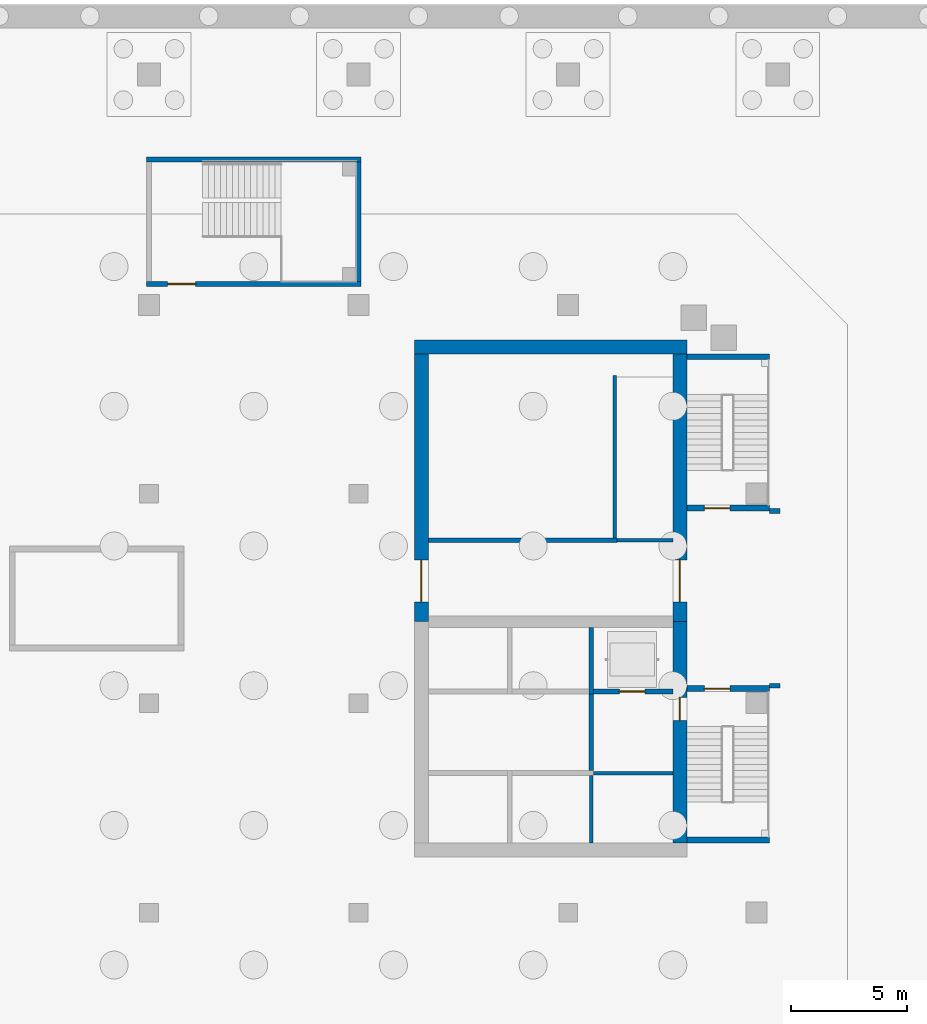
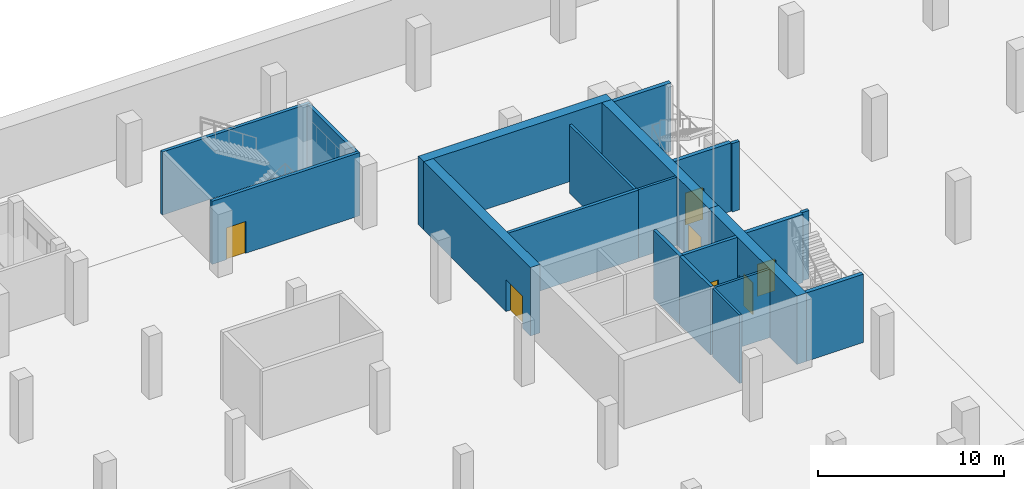
# One storey, part 18 of 30: 21 walls, 7 doors, 7 openings.
"""IFC4 building model written with IfcOpenShell, lengths in metres."""

import ifcopenshell
import ifcopenshell.guid

model = None  # the IFC model being written
_history = None  # IfcOwnerHistory: only IFC2X3 demands one
_inside = {}  # id of a spatial element -> (the spatial element, [elements in it])
_under = {}  # id of a project, library or spatial element -> (it, [spatial elements below it])
_declared = {}  # id of a project -> (the project, [libraries it declares])
_typed = {}  # id of a type object -> (the type object, [elements of that type])
_made_of = {}  # id of a material, layer set ... -> (it, [elements and type objects made of it])


def new_model(schema):
    """Start an empty IFC model of exactly this schema.

    Asked for "IFC4X3", IfcOpenShell would pick the latest addendum, in which some entities
    have other attributes; the version numbers below select the first issue.
    IFC2X3 requires an IfcOwnerHistory on every rooted entity: one is made here for all.
    """
    global model, _history
    if schema == "IFC4X3":
        model = ifcopenshell.file(schema_version=(4, 3, 0, 0))
    else:
        model = ifcopenshell.file(schema=schema)
    _inside.clear()
    _under.clear()
    _declared.clear()
    _typed.clear()
    _made_of.clear()
    _history = None
    if model.schema == "IFC2X3":
        org = make("IfcOrganization", Name="unknown")
        user = make(
            "IfcPersonAndOrganization",
            ThePerson=make("IfcPerson", FamilyName="unknown"),
            TheOrganization=org,
        )
        app = make(
            "IfcApplication",
            ApplicationDeveloper=org,
            Version="unknown",
            ApplicationFullName="unknown",
            ApplicationIdentifier="unknown",
        )
        _history = make(
            "IfcOwnerHistory",
            OwningUser=user,
            OwningApplication=app,
            ChangeAction="ADDED",
            CreationDate=0,
        )
    return model


def make(cls, **values):
    """One entity of the class cls with the attributes given. An attribute that is None is left unset."""
    return model.create_entity(
        cls, **{name: value for name, value in values.items() if value is not None}
    )


def rooted(cls, **values):
    """An entity with a GlobalId (a new one), such as an element, a storey or a relation."""
    return make(cls, GlobalId=ifcopenshell.guid.new(), OwnerHistory=_history, **values)


def si_unit(unit_type, name, prefix=None):
    """IfcSIUnit, for example si_unit("LENGTHUNIT", "METRE", prefix="MILLI")."""
    return make("IfcSIUnit", UnitType=unit_type, Prefix=prefix, Name=name)


def assignment(units):
    """IfcUnitAssignment: the units of a project."""
    return None if units is None else make("IfcUnitAssignment", Units=units)


def point(xyz):
    """IfcCartesianPoint."""
    return None if xyz is None else make("IfcCartesianPoint", Coordinates=xyz)


def direction(xyz):
    """IfcDirection."""
    return None if xyz is None else make("IfcDirection", DirectionRatios=xyz)


def frame(location, z_axis=None, x_axis=None):
    """IfcAxis2Placement3D, a coordinate frame: its origin and axes. An axis left out is left unset."""
    return make(
        "IfcAxis2Placement3D",
        Location=point(location),
        Axis=direction(z_axis),
        RefDirection=direction(x_axis),
    )


def frame_2d(location, x_axis=None):
    """IfcAxis2Placement2D, a coordinate frame in the plane: its origin and x axis."""
    return make(
        "IfcAxis2Placement2D", Location=point(location), RefDirection=direction(x_axis)
    )


def origin():
    """The frame at (0, 0, 0) with its axes left unset."""
    return frame((0.0, 0.0, 0.0))


def place(relative_to, where):
    """IfcLocalPlacement: puts the frame where relative to a parent placement (None: the world)."""
    return make(
        "IfcLocalPlacement", PlacementRelTo=relative_to, RelativePlacement=where
    )


def context(
    kind, dimensions, precision=None, world=None, true_north=None, identifier=None
):
    """IfcGeometricRepresentationContext, for example the 3D "Model" context."""
    return make(
        "IfcGeometricRepresentationContext",
        ContextIdentifier=identifier,
        ContextType=kind,
        CoordinateSpaceDimension=dimensions,
        Precision=precision,
        WorldCoordinateSystem=world,
        TrueNorth=true_north,
    )


def subcontext(parent, identifier, kind, view, scale=None):
    """IfcGeometricRepresentationSubContext, for example "Body" below "Model"."""
    return make(
        "IfcGeometricRepresentationSubContext",
        ContextIdentifier=identifier,
        ContextType=kind,
        ParentContext=parent,
        TargetScale=scale,
        TargetView=view,
    )


def project(units=None, contexts=None):
    """IfcProject with its units and contexts."""
    return rooted(
        "IfcProject",
        Name="project",
        RepresentationContexts=contexts,
        UnitsInContext=assignment(units),
    )


def spatial(cls, under=None, at=None, **own):
    """A site, building, storey or space (cls), placed at a placement, below another one or the project."""
    s = rooted(cls, ObjectPlacement=at, **own)
    if under is not None:
        _under.setdefault(under.id(), (under, []))[1].append(s)
    return s


def profile(cls, at=None, kind="AREA", **sizes):
    """A parametric profile (cls). Its sizes go by their IFC names, for example OverallWidth=200.0."""
    return make(cls, ProfileType=kind, Position=at, **sizes)


def rectangle(**sizes):
    """IfcRectangleProfileDef."""
    return profile("IfcRectangleProfileDef", **sizes)


def extrude(swept, where, along, depth):
    """IfcExtrudedAreaSolid: the profile swept, set in the frame where, extruded along a direction by depth."""
    return make(
        "IfcExtrudedAreaSolid",
        SweptArea=swept,
        Position=where,
        ExtrudedDirection=direction(along),
        Depth=depth,
    )


def shape(context_of_items, identifier, shape_type, items):
    """IfcShapeRepresentation: the items that make up one representation, for example the "Body"."""
    return make(
        "IfcShapeRepresentation",
        ContextOfItems=context_of_items,
        RepresentationIdentifier=identifier,
        RepresentationType=shape_type,
        Items=items,
    )


def material(Name=None, Category=None):
    """IfcMaterial."""
    return make("IfcMaterial", Name=Name, Category=Category)


def layer(
    of_material, thickness, ventilated=None, Name=None, Category=None, Priority=None
):
    """IfcMaterialLayer: one layer of a wall or slab, of a material (None: an air gap)."""
    return make(
        "IfcMaterialLayer",
        Material=of_material,
        LayerThickness=thickness,
        IsVentilated=ventilated,
        Name=Name,
        Category=Category,
        Priority=Priority,
    )


def layer_set(layers, Name=None):
    """IfcMaterialLayerSet."""
    return make("IfcMaterialLayerSet", MaterialLayers=layers, LayerSetName=Name)


def made_of(thing, what):
    """Note that an element or type object is made of a material, layer set ...; save() writes the relation."""
    if what is not None:
        _made_of.setdefault(what.id(), (what, []))[1].append(thing)
    return thing


def type_object(cls, material=None, **own):
    """A type object (cls), such as IfcWallType, which elements share."""
    return made_of(rooted(cls, **own), material)


def element(
    cls,
    number,
    at=None,
    inside=None,
    cuts=None,
    type_object=None,
    material=None,
    context=None,
    identifier="Body",
    shape_type=None,
    held_by="IfcProductDefinitionShape",
    body=None,
    shapes=None,
    **own,
):
    """One element of the class cls, such as IfcWall. Its Tag is "e" and its number.

    at: its placement. inside: the storey or other place that contains it. cuts: it is an
    opening in that element (IfcRelVoidsElement). A single representation is given by context,
    identifier, shape_type and body (its items); several are given by shapes. held_by: the class
    of the entity that holds the representations. save() writes the other relations.
    """
    e = rooted(cls, Tag="e%d" % number, ObjectPlacement=at, **own)
    if body is not None:
        shapes = [shape(context, identifier, shape_type, body)]
    if shapes is not None:
        e.Representation = make(held_by, Representations=shapes)
    if inside is not None:
        _inside.setdefault(inside.id(), (inside, []))[1].append(e)
    if cuts is not None:
        rooted(
            "IfcRelVoidsElement", RelatingBuildingElement=cuts, RelatedOpeningElement=e
        )
    if type_object is not None:
        _typed.setdefault(type_object.id(), (type_object, []))[1].append(e)
    return made_of(e, material)


def fill(opening, filler):
    """IfcRelFillsElement: the door or window that sits in an opening."""
    return rooted(
        "IfcRelFillsElement",
        RelatingOpeningElement=opening,
        RelatedBuildingElement=filler,
    )


def aggregate(whole, parts):
    """IfcRelAggregates: a whole, such as a stair, and the parts it consists of."""
    return rooted("IfcRelAggregates", RelatingObject=whole, RelatedObjects=parts)


def save(model, path):
    """Write the relations noted so far, then the file.

    IfcRelAggregates (storeys below a building ...), IfcRelContainedInSpatialStructure (elements
    in a storey), IfcRelDefinesByType, IfcRelAssociatesMaterial and IfcRelDeclares: one each for
    every whole, place, type object, material and project.
    """
    for whole, parts in _under.values():
        aggregate(whole, parts)
    for where, things in _inside.values():
        rooted(
            "IfcRelContainedInSpatialStructure",
            RelatedElements=things,
            RelatingStructure=where,
        )
    for kind, things in _typed.values():
        rooted("IfcRelDefinesByType", RelatedObjects=things, RelatingType=kind)
    for what, things in _made_of.values():
        rooted("IfcRelAssociatesMaterial", RelatedObjects=things, RelatingMaterial=what)
    for by, libraries in _declared.values():
        rooted("IfcRelDeclares", RelatingContext=by, RelatedDefinitions=libraries)
    model.write(path)


model = new_model("IFC4")

# Units and contexts
model_context = context("Model", 3, precision=1e-05, world=origin(), true_north=direction((0.0, 1.0)))
body_context = subcontext(model_context, "Body", "Model", "MODEL_VIEW")
ifc_project = project(units=[si_unit("LENGTHUNIT", "METRE"), si_unit("AREAUNIT", "SQUARE_METRE"), si_unit("VOLUMEUNIT", "CUBIC_METRE"), si_unit("PLANEANGLEUNIT", "RADIAN"), si_unit("MASSUNIT", "GRAM", prefix="KILO")], contexts=[model_context])

# Site, building, storey
site_placement = place(None, origin())
site = spatial("IfcSite", under=ifc_project, at=site_placement, CompositionType="ELEMENT")
building_placement = place(site_placement, origin())
building = spatial("IfcBuilding", under=site, at=building_placement, Name="Cinnabar Reach Civic Tower", CompositionType="ELEMENT")
storey_placement = place(building_placement, frame((0.0, 0.0, -14.0)))
storey = spatial("IfcBuildingStorey", under=building, at=storey_placement, Name="B3", CompositionType="ELEMENT", Elevation=-14.0)

# Wall
ifc_material_1 = material(Name="Concrete C70", Category="concrete")
ifc_layer_1 = layer(ifc_material_1, 0.6)
ifc_layer_set_1 = layer_set([ifc_layer_1], Name="Core wall 600 EI 180")
wall_type_1 = type_object("IfcWallType", Name="Core wall 600 EI 180", PredefinedType="SOLIDWALL", material=ifc_layer_set_1)
wall_1_placement = place(storey_placement, frame((-30.9, 42.3, 0.0), z_axis=(0.0, 0.0, 1.0), x_axis=(-1.0, 0.0, 0.0)))
element("IfcWall", 1, at=wall_1_placement, inside=storey, type_object=wall_type_1, Name="Core wall T2 B3 N", PredefinedType="SOLIDWALL", context=body_context, shape_type="SweptSolid", body=[
    extrude(rectangle(XDim=11.7, YDim=0.6, at=frame_2d((5.85, 0.0))), origin(), (0.0, 0.0, 1.0), 4.5),
])

# Wall, opening, door
wall_2_placement = place(storey_placement, frame((-31.2, 21.0, 0.0), z_axis=(0.0, 0.0, 1.0), x_axis=(0.0, 1.0, 0.0)))
wall_2 = element("IfcWall", 2, at=wall_2_placement, inside=storey, type_object=wall_type_1, Name="Core wall T2 B3 E", PredefinedType="SOLIDWALL", context=body_context, shape_type="SweptSolid", body=[
    extrude(rectangle(XDim=9.5, YDim=0.6, at=frame_2d((4.75, 0.0))), origin(), (0.0, 0.0, 1.0), 4.5),
])
opening_1_placement = place(wall_2_placement, frame((5.25, 0.0, 0.0)))
opening_1 = element("IfcOpeningElement", 3, at=opening_1_placement, cuts=wall_2, Name="Opening D6001", PredefinedType="OPENING", context=body_context, shape_type="SweptSolid", body=[
    extrude(rectangle(XDim=1.0, YDim=2.1, at=frame_2d((0.5, 1.05))), frame((0.0, 0.31, 0.0), z_axis=(0.0, -1.0, 0.0), x_axis=(1.0, 0.0, 0.0)), (0.0, 0.0, 1.0), 0.62),
])
ifc_material_2 = material(Name="Steel fire door", Category="steel")
door_type_1 = type_object("IfcDoorType", Name="T2 Firefighting lobby door 1000", OperationType="SINGLE_SWING_LEFT", PredefinedType="DOOR", material=ifc_material_2)
door_1_placement = place(opening_1_placement, frame((1.0, 0.0, 0.0), z_axis=(0.0, 0.0, 1.0), x_axis=(-1.0, 0.0, 0.0)))
door_1 = element("IfcDoor", 4, at=door_1_placement, inside=storey, type_object=door_type_1, Name="T2 Firefighting lobby door D6001", OperationType="SINGLE_SWING_LEFT", OverallHeight=2.1, OverallWidth=1.0, PredefinedType="DOOR", context=body_context, shape_type="SweptSolid", body=[
    extrude(rectangle(XDim=1.0, YDim=2.1, at=frame_2d((0.5, 1.05))), frame((0.0, 0.025, 0.0), z_axis=(0.0, -1.0, 0.0), x_axis=(1.0, 0.0, 0.0)), (0.0, 0.0, 1.0), 0.05),
])
fill(opening_1, door_1)

wall_3_placement = place(storey_placement, frame((-31.2, 30.5, 0.0), z_axis=(0.0, 0.0, 1.0), x_axis=(0.0, 1.0, 0.0)))
wall_3 = element("IfcWall", 5, at=wall_3_placement, inside=storey, type_object=wall_type_1, Name="Core wall T2 B3 E2", PredefinedType="SOLIDWALL", context=body_context, shape_type="SweptSolid", body=[
    extrude(rectangle(XDim=11.5, YDim=0.6, at=frame_2d((5.75, 0.0))), origin(), (0.0, 0.0, 1.0), 4.5),
])
opening_2_placement = place(wall_3_placement, frame((0.85, 0.0, 0.0)))
opening_2 = element("IfcOpeningElement", 6, at=opening_2_placement, cuts=wall_3, Name="Opening D6004", PredefinedType="OPENING", context=body_context, shape_type="SweptSolid", body=[
    extrude(rectangle(XDim=1.8, YDim=2.1, at=frame_2d((0.9, 1.05))), frame((0.0, 0.31, 0.0), z_axis=(0.0, -1.0, 0.0), x_axis=(1.0, 0.0, 0.0)), (0.0, 0.0, 1.0), 0.62),
])
door_type_2 = type_object("IfcDoorType", Name="T2 Double door 1800", OperationType="DOUBLE_DOOR_SINGLE_SWING", PredefinedType="DOOR", material=ifc_material_2)
door_2_placement = place(opening_2_placement, origin())
door_2 = element("IfcDoor", 7, at=door_2_placement, inside=storey, type_object=door_type_2, Name="T2 Double door D6004", OperationType="DOUBLE_DOOR_SINGLE_SWING", OverallHeight=2.1, OverallWidth=1.8, PredefinedType="DOOR", context=body_context, shape_type="SweptSolid", body=[
    extrude(rectangle(XDim=1.8, YDim=2.1, at=frame_2d((0.9, 1.05))), frame((0.0, 0.025, 0.0), z_axis=(0.0, -1.0, 0.0), x_axis=(1.0, 0.0, 0.0)), (0.0, 0.0, 1.0), 0.05),
])
fill(opening_2, door_2)

wall_4_placement = place(storey_placement, frame((-42.3, 42.0, 0.0), z_axis=(0.0, 0.0, 1.0), x_axis=(0.0, -1.0, 0.0)))
wall_4 = element("IfcWall", 8, at=wall_4_placement, inside=storey, type_object=wall_type_1, Name="Core wall T2 B3 W", PredefinedType="SOLIDWALL", context=body_context, shape_type="SweptSolid", body=[
    extrude(rectangle(XDim=11.5, YDim=0.6, at=frame_2d((5.75, 0.0))), origin(), (0.0, 0.0, 1.0), 4.5),
])
opening_3_placement = place(wall_4_placement, frame((8.85, 0.0, 0.0)))
opening_3 = element("IfcOpeningElement", 9, at=opening_3_placement, cuts=wall_4, Name="Opening D6005", PredefinedType="OPENING", context=body_context, shape_type="SweptSolid", body=[
    extrude(rectangle(XDim=1.8, YDim=2.1, at=frame_2d((0.9, 1.05))), frame((0.0, 0.31, 0.0), z_axis=(0.0, -1.0, 0.0), x_axis=(1.0, 0.0, 0.0)), (0.0, 0.0, 1.0), 0.62),
])
door_3_placement = place(opening_3_placement, frame((1.8, 0.0, 0.0), z_axis=(0.0, 0.0, 1.0), x_axis=(-1.0, 0.0, 0.0)))
door_3 = element("IfcDoor", 10, at=door_3_placement, inside=storey, type_object=door_type_2, Name="T2 Double door D6005", OperationType="DOUBLE_DOOR_SINGLE_SWING", OverallHeight=2.1, OverallWidth=1.8, PredefinedType="DOOR", context=body_context, shape_type="SweptSolid", body=[
    extrude(rectangle(XDim=1.8, YDim=2.1, at=frame_2d((0.9, 1.05))), frame((0.0, 0.025, 0.0), z_axis=(0.0, -1.0, 0.0), x_axis=(1.0, 0.0, 0.0)), (0.0, 0.0, 1.0), 0.05),
])
fill(opening_3, door_3)

# Walls
ifc_material_3 = material(Name="Concrete C40", Category="concrete")
ifc_layer_2 = layer(ifc_material_3, 0.2)
ifc_layer_set_2 = layer_set([ifc_layer_2], Name="Podium stair shaft wall 200 EI 120")
wall_type_2 = type_object("IfcWallType", Name="Podium stair shaft wall 200 EI 120", PredefinedType="SOLIDWALL", material=ifc_layer_set_2)
wall_5_placement = place(storey_placement, frame((-54.1, 50.35, 0.0), z_axis=(0.0, 0.0, 1.0), x_axis=(1.0, 0.0, 0.0)))
element("IfcWall", 11, at=wall_5_placement, inside=storey, type_object=wall_type_2, Name="Wall B3 25", PredefinedType="SOLIDWALL", context=body_context, shape_type="SweptSolid", body=[
    extrude(rectangle(XDim=9.2, YDim=0.2, at=frame_2d((4.6, 0.0))), origin(), (0.0, 0.0, 1.0), 4.15),
])
wall_6_placement = place(storey_placement, frame((-45.0, 45.1, 0.0), z_axis=(0.0, 0.0, 1.0), x_axis=(0.0, 1.0, 0.0)))
element("IfcWall", 12, at=wall_6_placement, inside=storey, type_object=wall_type_2, Name="Wall B3 26", PredefinedType="SOLIDWALL", context=body_context, shape_type="SweptSolid", body=[
    extrude(rectangle(XDim=5.15, YDim=0.2, at=frame_2d((2.575, 0.0))), origin(), (0.0, 0.0, 1.0), 4.15),
])

# Wall, opening, door
wall_7_placement = place(storey_placement, frame((-54.1, 45.0, 0.0), z_axis=(0.0, 0.0, 1.0), x_axis=(1.0, 0.0, 0.0)))
wall_7 = element("IfcWall", 13, at=wall_7_placement, inside=storey, type_object=wall_type_2, Name="Wall B3 27", PredefinedType="SOLIDWALL", context=body_context, shape_type="SweptSolid", body=[
    extrude(rectangle(XDim=9.2, YDim=0.2, at=frame_2d((4.6, 0.0))), origin(), (0.0, 0.0, 1.0), 4.15),
])
opening_4_placement = place(wall_7_placement, frame((0.9, 0.0, 0.0)))
opening_4 = element("IfcOpeningElement", 14, at=opening_4_placement, cuts=wall_7, Name="Opening D1327", PredefinedType="OPENING", context=body_context, shape_type="SweptSolid", body=[
    extrude(rectangle(XDim=1.2, YDim=2.1, at=frame_2d((0.6, 1.05))), frame((0.0, 0.11, 0.0), z_axis=(0.0, -1.0, 0.0), x_axis=(1.0, 0.0, 0.0)), (0.0, 0.0, 1.0), 0.22),
])
ifc_material_4 = material(Name="Painted steel door leaf", Category="steel")
door_type_3 = type_object("IfcDoorType", Name="Podium single door 1200x2100", OperationType="SINGLE_SWING_LEFT", PredefinedType="DOOR", material=ifc_material_4)
door_4_placement = place(opening_4_placement, origin())
door_4 = element("IfcDoor", 15, at=door_4_placement, inside=storey, type_object=door_type_3, Name="Door D1327", OperationType="SINGLE_SWING_LEFT", OverallHeight=2.1, OverallWidth=1.2, PredefinedType="DOOR", context=body_context, shape_type="SweptSolid", body=[
    extrude(rectangle(XDim=1.2, YDim=2.1, at=frame_2d((0.6, 1.05))), frame((0.0, 0.025, 0.0), z_axis=(0.0, -1.0, 0.0), x_axis=(1.0, 0.0, 0.0)), (0.0, 0.0, 1.0), 0.05),
])
fill(opening_4, door_4)

# Wall
ifc_material_5 = material(Name="Concrete C60", Category="concrete")
ifc_layer_3 = layer(ifc_material_5, 0.25)
ifc_layer_set_3 = layer_set([ifc_layer_3], Name="Stair shaft wall 250 EI 120")
wall_type_3 = type_object("IfcWallType", Name="Stair shaft wall 250 EI 120", PredefinedType="SOLIDWALL", material=ifc_layer_set_3)
wall_8_placement = place(storey_placement, frame((-30.9, 21.125, 0.0), z_axis=(0.0, 0.0, 1.0), x_axis=(1.0, 0.0, 0.0)))
element("IfcWall", 16, at=wall_8_placement, inside=storey, type_object=wall_type_3, Name="Stair shaft wall T2-S1 B3", PredefinedType="SOLIDWALL", context=body_context, shape_type="SweptSolid", body=[
    extrude(rectangle(XDim=3.54, YDim=0.25, at=frame_2d((1.77, 0.0))), origin(), (0.0, 0.0, 1.0), 4.5),
])

# Wall, opening, door
wall_9_placement = place(storey_placement, frame((-27.36, 27.625, 0.0), z_axis=(0.0, 0.0, 1.0), x_axis=(-1.0, 0.0, 0.0)))
wall_9 = element("IfcWall", 17, at=wall_9_placement, inside=storey, type_object=wall_type_3, Name="Stair shaft wall T2-S1 B3", PredefinedType="SOLIDWALL", context=body_context, shape_type="SweptSolid", body=[
    extrude(rectangle(XDim=3.54, YDim=0.25, at=frame_2d((1.77, 0.0))), origin(), (0.0, 0.0, 1.0), 4.5),
])
opening_5_placement = place(wall_9_placement, frame((1.69, 0.0, 0.0)))
opening_5 = element("IfcOpeningElement", 18, at=opening_5_placement, cuts=wall_9, Name="Opening D6002", PredefinedType="OPENING", context=body_context, shape_type="SweptSolid", body=[
    extrude(rectangle(XDim=1.1, YDim=2.1, at=frame_2d((0.55, 1.05))), frame((0.0, 0.135, 0.0), z_axis=(0.0, -1.0, 0.0), x_axis=(1.0, 0.0, 0.0)), (0.0, 0.0, 1.0), 0.27),
])
door_type_4 = type_object("IfcDoorType", Name="T2 Stair door 1100", OperationType="SINGLE_SWING_LEFT", PredefinedType="DOOR", material=ifc_material_2)
door_5_placement = place(opening_5_placement, origin())
door_5 = element("IfcDoor", 19, at=door_5_placement, inside=storey, type_object=door_type_4, Name="T2 Stair door D6002", OperationType="SINGLE_SWING_RIGHT", OverallHeight=2.1, OverallWidth=1.1, PredefinedType="DOOR", context=body_context, shape_type="SweptSolid", body=[
    extrude(rectangle(XDim=1.1, YDim=2.1, at=frame_2d((0.55, 1.05))), frame((0.0, 0.025, 0.0), z_axis=(0.0, -1.0, 0.0), x_axis=(1.0, 0.0, 0.0)), (0.0, 0.0, 1.0), 0.05),
])
fill(opening_5, door_5)

wall_10_placement = place(storey_placement, frame((-30.9, 35.375, 0.0), z_axis=(0.0, 0.0, 1.0), x_axis=(1.0, 0.0, 0.0)))
wall_10 = element("IfcWall", 20, at=wall_10_placement, inside=storey, type_object=wall_type_3, Name="Stair shaft wall T2-S2 B3", PredefinedType="SOLIDWALL", context=body_context, shape_type="SweptSolid", body=[
    extrude(rectangle(XDim=3.54, YDim=0.25, at=frame_2d((1.77, 0.0))), origin(), (0.0, 0.0, 1.0), 4.5),
])
opening_6_placement = place(wall_10_placement, frame((0.75, 0.0, 0.0)))
opening_6 = element("IfcOpeningElement", 21, at=opening_6_placement, cuts=wall_10, Name="Opening D6003", PredefinedType="OPENING", context=body_context, shape_type="SweptSolid", body=[
    extrude(rectangle(XDim=1.1, YDim=2.1, at=frame_2d((0.55, 1.05))), frame((0.0, 0.135, 0.0), z_axis=(0.0, -1.0, 0.0), x_axis=(1.0, 0.0, 0.0)), (0.0, 0.0, 1.0), 0.27),
])
door_6_placement = place(opening_6_placement, origin())
door_6 = element("IfcDoor", 22, at=door_6_placement, inside=storey, type_object=door_type_4, Name="T2 Stair door D6003", OperationType="SINGLE_SWING_LEFT", OverallHeight=2.1, OverallWidth=1.1, PredefinedType="DOOR", context=body_context, shape_type="SweptSolid", body=[
    extrude(rectangle(XDim=1.1, YDim=2.1, at=frame_2d((0.55, 1.05))), frame((0.0, 0.025, 0.0), z_axis=(0.0, -1.0, 0.0), x_axis=(1.0, 0.0, 0.0)), (0.0, 0.0, 1.0), 0.05),
])
fill(opening_6, door_6)

# Walls
wall_11_placement = place(storey_placement, frame((-27.36, 41.875, 0.0), z_axis=(0.0, 0.0, 1.0), x_axis=(-1.0, 0.0, 0.0)))
element("IfcWall", 23, at=wall_11_placement, inside=storey, type_object=wall_type_3, Name="Stair shaft wall T2-S2 B3", PredefinedType="SOLIDWALL", context=body_context, shape_type="SweptSolid", body=[
    extrude(rectangle(XDim=3.54, YDim=0.25, at=frame_2d((1.77, 0.0))), origin(), (0.0, 0.0, 1.0), 4.5),
])
ifc_layer_4 = layer(ifc_material_3, 0.15)
ifc_layer_set_4 = layer_set([ifc_layer_4], Name="T2 Riser wall 150")
wall_type_4 = type_object("IfcWallType", Name="T2 Riser wall 150", PredefinedType="SOLIDWALL", material=ifc_layer_set_4)
wall_12_placement = place(storey_placement, frame((-35.0, 21.0, 0.0), z_axis=(0.0, 0.0, 1.0), x_axis=(0.0, 1.0, 0.0)))
element("IfcWall", 24, at=wall_12_placement, inside=storey, type_object=wall_type_4, Name="T2 Riser wall B3 013", PredefinedType="SOLIDWALL", context=body_context, shape_type="SweptSolid", body=[
    extrude(rectangle(XDim=2.9, YDim=0.15, at=frame_2d((1.45, 0.0))), origin(), (0.0, 0.0, 1.0), 4.5),
])
wall_13_placement = place(storey_placement, frame((-31.5, 24.0, 0.0), z_axis=(0.0, 0.0, 1.0), x_axis=(-1.0, 0.0, 0.0)))
element("IfcWall", 25, at=wall_13_placement, inside=storey, type_object=wall_type_4, Name="T2 Riser wall B3 014", PredefinedType="SOLIDWALL", context=body_context, shape_type="SweptSolid", body=[
    extrude(rectangle(XDim=3.4, YDim=0.15, at=frame_2d((1.7, 0.0))), origin(), (0.0, 0.0, 1.0), 4.5),
])
wall_14_placement = place(storey_placement, frame((-33.9, 34.0, 0.0), z_axis=(0.0, 0.0, 1.0), x_axis=(1.0, 0.0, 0.0)))
element("IfcWall", 26, at=wall_14_placement, inside=storey, type_object=wall_type_4, Name="T2 Riser wall B3 015", PredefinedType="SOLIDWALL", context=body_context, shape_type="SweptSolid", body=[
    extrude(rectangle(XDim=2.4, YDim=0.15, at=frame_2d((1.2, 0.0))), origin(), (0.0, 0.0, 1.0), 4.5),
])
wall_15_placement = place(storey_placement, frame((-34.0, 41.075, 0.0), z_axis=(0.0, 0.0, 1.0), x_axis=(0.0, -1.0, 0.0)))
element("IfcWall", 27, at=wall_15_placement, inside=storey, type_object=wall_type_4, Name="T2 Riser wall B3 016", PredefinedType="SOLIDWALL", context=body_context, shape_type="SweptSolid", body=[
    extrude(rectangle(XDim=6.975, YDim=0.15, at=frame_2d((3.4875, 0.0))), origin(), (0.0, 0.0, 1.0), 4.5),
])
ifc_layer_5 = layer(ifc_material_3, 0.2)
ifc_layer_set_5 = layer_set([ifc_layer_5], Name="T2 Shaft wall 200")
wall_type_5 = type_object("IfcWallType", Name="T2 Shaft wall 200", PredefinedType="SOLIDWALL", material=ifc_layer_set_5)
wall_16_placement = place(storey_placement, frame((-35.0, 27.4, 0.0), z_axis=(0.0, 0.0, 1.0), x_axis=(0.0, 1.0, 0.0)))
element("IfcWall", 28, at=wall_16_placement, inside=storey, type_object=wall_type_5, Name="T2 Shaft wall B3 006", PredefinedType="SOLIDWALL", context=body_context, shape_type="SweptSolid", body=[
    extrude(rectangle(XDim=2.85, YDim=0.2, at=frame_2d((1.425, 0.0))), origin(), (0.0, 0.0, 1.0), 4.5),
])

# Wall, opening, door
wall_17_placement = place(storey_placement, frame((-34.9, 27.5, 0.0), z_axis=(0.0, 0.0, 1.0), x_axis=(1.0, 0.0, 0.0)))
wall_17 = element("IfcWall", 29, at=wall_17_placement, inside=storey, type_object=wall_type_5, Name="T2 Shaft wall B3 008", PredefinedType="SOLIDWALL", context=body_context, shape_type="SweptSolid", body=[
    extrude(rectangle(XDim=3.4, YDim=0.2, at=frame_2d((1.7, 0.0))), origin(), (0.0, 0.0, 1.0), 4.5),
])
opening_7_placement = place(wall_17_placement, frame((1.1, 0.0, 0.0)))
opening_7 = element("IfcOpeningElement", 30, at=opening_7_placement, cuts=wall_17, Name="Opening D6000", PredefinedType="OPENING", context=body_context, shape_type="SweptSolid", body=[
    extrude(rectangle(XDim=1.1, YDim=2.1, at=frame_2d((0.55, 1.05))), frame((0.0, 0.11, 0.0), z_axis=(0.0, -1.0, 0.0), x_axis=(1.0, 0.0, 0.0)), (0.0, 0.0, 1.0), 0.22),
])
door_type_5 = type_object("IfcDoorType", Name="T2 Firefighting lift landing door 1100", OperationType="SLIDING_TO_LEFT", PredefinedType="DOOR", material=ifc_material_2)
door_7_placement = place(opening_7_placement, origin())
door_7 = element("IfcDoor", 31, at=door_7_placement, inside=storey, type_object=door_type_5, Name="T2 Firefighting lift landing door D6000", OperationType="SLIDING_TO_LEFT", OverallHeight=2.1, OverallWidth=1.1, PredefinedType="DOOR", context=body_context, shape_type="SweptSolid", body=[
    extrude(rectangle(XDim=1.1, YDim=2.1, at=frame_2d((0.55, 1.05))), frame((0.0, 0.025, 0.0), z_axis=(0.0, -1.0, 0.0), x_axis=(1.0, 0.0, 0.0)), (0.0, 0.0, 1.0), 0.05),
])
fill(opening_7, door_7)

# Walls
wall_18_placement = place(storey_placement, frame((-35.0, 24.1, 0.0), z_axis=(0.0, 0.0, 1.0), x_axis=(0.0, 1.0, 0.0)))
element("IfcWall", 32, at=wall_18_placement, inside=storey, type_object=wall_type_5, Name="T2 Shaft wall B3 009", PredefinedType="SOLIDWALL", context=body_context, shape_type="SweptSolid", body=[
    extrude(rectangle(XDim=3.3, YDim=0.2, at=frame_2d((1.65, 0.0))), origin(), (0.0, 0.0, 1.0), 4.5),
])
wall_19_placement = place(storey_placement, frame((-33.9, 34.0, 0.0), z_axis=(0.0, 0.0, 1.0), x_axis=(-1.0, 0.0, 0.0)))
element("IfcWall", 33, at=wall_19_placement, inside=storey, type_object=wall_type_5, Name="T2 Shaft wall B3 012", PredefinedType="SOLIDWALL", context=body_context, shape_type="SweptSolid", body=[
    extrude(rectangle(XDim=8.1, YDim=0.2, at=frame_2d((4.05, 0.0))), origin(), (0.0, 0.0, 1.0), 4.5),
])
ifc_layer_6 = layer(ifc_material_3, 0.2)
ifc_layer_set_6 = layer_set([ifc_layer_6], Name="T2 Stair enclosure wall 200")
wall_type_6 = type_object("IfcWallType", Name="T2 Stair enclosure wall 200", PredefinedType="SOLIDWALL", material=ifc_layer_set_6)
for number, where, z_axis, x_axis, name in (
    (34, (-27.36, 27.75, 0.0), (0.0, 0.0, 1.0), (1.0, 0.0, 0.0), "T2 Stair enclosure wall B3 010"),
    (35, (-26.9, 35.25, 0.0), (0.0, 0.0, 1.0), (-1.0, 0.0, 0.0), "T2 Stair enclosure wall B3 011"),
):
    element("IfcWall", number, at=place(storey_placement, frame(where, z_axis=z_axis, x_axis=x_axis)), inside=storey, type_object=wall_type_6, Name=name, PredefinedType="SOLIDWALL", context=body_context, shape_type="SweptSolid", body=[
        extrude(rectangle(XDim=0.46, YDim=0.2, at=frame_2d((0.23, 0.0))), origin(), (0.0, 0.0, 1.0), 4.5),
    ])

save(model, "model.ifc")
